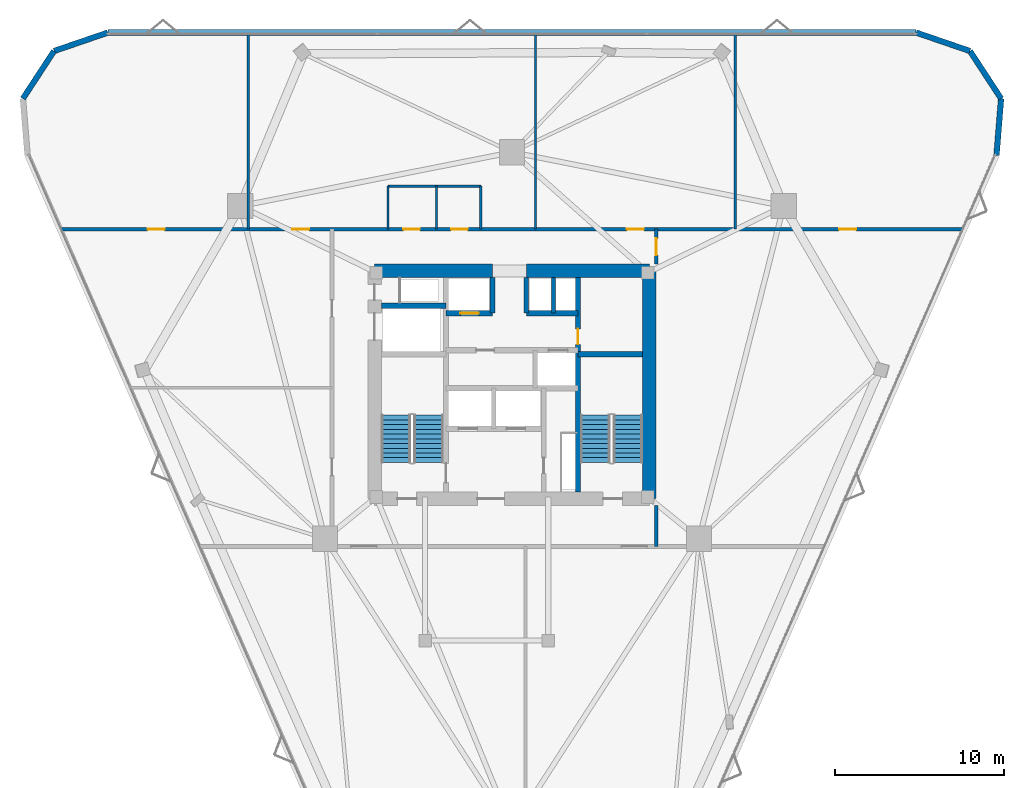
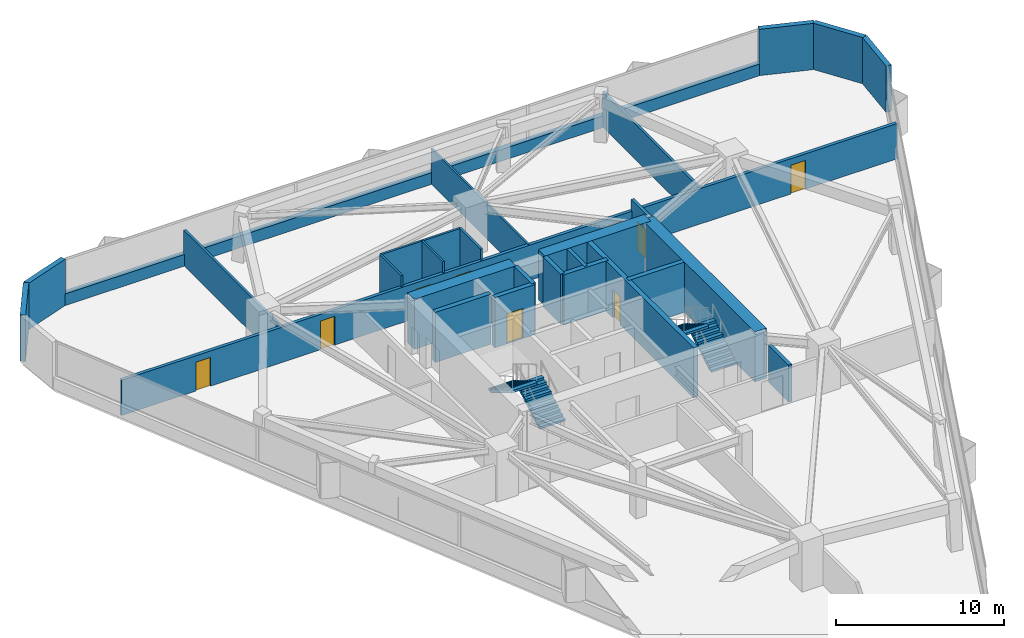
# One storey, part 13 of 14: 27 walls, 9 doors, 4 stair flights, 9 openings, 2 elements without a shape of their own.
"""IFC4 building model written with IfcOpenShell, lengths in metres."""

from ifc_helpers import new_model, si_unit, direction, frame, frame_2d, origin, place, context, subcontext, project, spatial, polyline, rectangle, outline, extrude, material, layer, layer_set, type_object, element, fill, aggregate, save


model = new_model("IFC4")

# Units and contexts
model_context = context("Model", 3, precision=1e-05, world=origin(), true_north=direction((0.0, 1.0)))
body_context = subcontext(model_context, "Body", "Model", "MODEL_VIEW")
ifc_project = project(units=[si_unit("LENGTHUNIT", "METRE"), si_unit("AREAUNIT", "SQUARE_METRE"), si_unit("VOLUMEUNIT", "CUBIC_METRE"), si_unit("PLANEANGLEUNIT", "RADIAN"), si_unit("MASSUNIT", "GRAM", prefix="KILO")], contexts=[model_context])

# Site, building, storey
site_placement = place(None, origin())
site = spatial("IfcSite", under=ifc_project, at=site_placement, CompositionType="ELEMENT")
building_placement = place(site_placement, origin())
building = spatial("IfcBuilding", under=site, at=building_placement, Name="Talyreon Biosciences Tower", CompositionType="ELEMENT")
storey_placement = place(building_placement, frame((0.0, 0.0, 138.14990234375)))
storey = spatial("IfcBuildingStorey", under=building, at=storey_placement, Name="L36", CompositionType="ELEMENT", Elevation=138.14990234375)

# Walls
ifc_material_1 = material(Name="Concrete C50/60", Category="concrete")
ifc_layer_1 = layer(ifc_material_1, 0.219970703125)
ifc_layer_set_1 = layer_set([ifc_layer_1], Name="Concrete C50/60")
wall_type_1 = type_object("IfcWallType", Name="CoreShearWall_220", PredefinedType="SHEAR", material=ifc_layer_set_1)
wall_1_placement = place(storey_placement, frame((68.4599609375, 72.25, 0.0), z_axis=(0.0, 0.0, 1.0), x_axis=(0.0, 1.0, 0.0)))
element("IfcWall", 1, at=wall_1_placement, inside=storey, type_object=wall_type_1, Name="L36 Core Shaft Wall SWPHD", PredefinedType="SHEAR", context=body_context, shape_type="SweptSolid", body=[
    extrude(rectangle(XDim=2.10009765625, YDim=0.219970703125, at=frame_2d((1.050048828125, 0.0))), origin(), (0.0, 0.0, 1.0), 3.650146484375),
])
ifc_layer_2 = layer(ifc_material_1, 0.280029296875)
ifc_layer_set_2 = layer_set([ifc_layer_2], Name="Concrete C50/60")
wall_type_2 = type_object("IfcWallType", Name="CoreShearWall_280", PredefinedType="SHEAR", material=ifc_layer_set_2)
for number, where, z_axis, x_axis, name in (
    (2, (64.85009765625, 72.25, 0.0), (0.0, 0.0, 1.0), (0.0, 1.0, 0.0), "L36 Core Shaft Wall SWTHW"),
    (3, (66.85009765625, 72.25, 0.0), (0.0, 0.0, 1.0), (0.0, 1.0, 0.0), "L36 Core Shaft Wall SWTHE"),
):
    element("IfcWall", number, at=place(storey_placement, frame(where, z_axis=z_axis, x_axis=x_axis)), inside=storey, type_object=wall_type_2, Name=name, PredefinedType="SHEAR", context=body_context, shape_type="SweptSolid", body=[
        extrude(rectangle(XDim=2.10009765625, YDim=0.280029296875, at=frame_2d((1.050048828125, 0.0))), origin(), (0.0, 0.0, 1.0), 3.650146484375),
    ])

# Wall, opening, door
ifc_layer_3 = layer(ifc_material_1, 0.320068359375)
ifc_layer_set_3 = layer_set([ifc_layer_3], Name="Concrete C50/60")
wall_type_3 = type_object("IfcWallType", Name="CoreShearWall_320", PredefinedType="SHEAR", material=ifc_layer_set_3)
wall_2_placement = place(storey_placement, frame((69.909912109375, 61.64990234375, 0.0), z_axis=(0.0, 0.0, 1.0), x_axis=(0.0, 1.0, 0.0)))
wall_2 = element("IfcWall", 4, at=wall_2_placement, inside=storey, type_object=wall_type_3, Name="L36 Core Shaft Wall SW2W", PredefinedType="SHEAR", context=body_context, shape_type="SweptSolid", body=[
    extrude(rectangle(XDim=12.7001953125, YDim=0.320068359375, at=frame_2d((6.35009765625, 0.0))), origin(), (0.0, 0.0, 1.0), 3.650146484375),
])
opening_1_placement = place(wall_2_placement, frame((8.75, 0.0, 0.0)))
opening_1 = element("IfcOpeningElement", 5, at=opening_1_placement, cuts=wall_2, Name="Opening DR-L36-CSRV", PredefinedType="OPENING", context=body_context, shape_type="SweptSolid", body=[
    extrude(rectangle(XDim=0.919921875, YDim=2.050048828125, at=frame_2d((0.4599609375, 1.02490234375))), frame((0.0, 0.169921875, 0.0), z_axis=(0.0, -1.0, 0.0), x_axis=(1.0, 0.0, 0.0)), (0.0, 0.0, 1.0), 0.340087890625),
])
ifc_material_2 = material(Name="Painted steel fire-rated riser door", Category="steel")
door_type_1 = type_object("IfcDoorType", Name="RiserPlantAccessDoor_920x2050", OperationType="NOTDEFINED", PredefinedType="DOOR", material=ifc_material_2)
door_1_placement = place(opening_1_placement, origin())
door_1 = element("IfcDoor", 6, at=door_1_placement, inside=storey, type_object=door_type_1, Name="L36 Core Door DR-L36-CSRV", OperationType="SINGLE_SWING_RIGHT", OverallHeight=2.050048828125, OverallWidth=0.919921875, PredefinedType="DOOR", context=body_context, shape_type="SweptSolid", body=[
    extrude(rectangle(XDim=0.919921875, YDim=2.050048828125, at=frame_2d((0.4599609375, 1.02490234375))), frame((0.0, 0.02490234375, 0.0), z_axis=(0.0, -1.0, 0.0), x_axis=(1.0, 0.0, 0.0)), (0.0, 0.0, 1.0), 0.050048828125),
])
fill(opening_1, door_1)

# Walls
for number, where, z_axis, x_axis, name in (
    (7, (69.909912109375, 69.81005859375, 0.0), (0.0, 0.0, 1.0), (1.0, 0.0, 0.0), "L36 Core Shaft Wall SW2N"),
    (8, (58.25, 72.699951171875, 0.0), (0.0, 0.0, 1.0), (1.0, 0.0, 0.0), "L36 Core Shaft Wall SWGLN"),
):
    element("IfcWall", number, at=place(storey_placement, frame(where, z_axis=z_axis, x_axis=x_axis)), inside=storey, type_object=wall_type_3, Name=name, PredefinedType="SHEAR", context=body_context, shape_type="SweptSolid", body=[
        extrude(rectangle(XDim=3.840087890625, YDim=0.320068359375, at=frame_2d((1.919921875, 0.0))), origin(), (0.0, 0.0, 1.0), 3.650146484375),
    ])

# Wall, opening, door
wall_3_placement = place(storey_placement, frame((62.090087890625, 72.25, 0.0), z_axis=(0.0, 0.0, 1.0), x_axis=(1.0, 0.0, 0.0)))
wall_3 = element("IfcWall", 9, at=wall_3_placement, inside=storey, type_object=wall_type_3, Name="L36 Core Shaft Wall SWNPW", PredefinedType="SHEAR", context=body_context, shape_type="SweptSolid", body=[
    extrude(rectangle(XDim=2.760009765625, YDim=0.320068359375, at=frame_2d((1.3798828125, 0.0))), origin(), (0.0, 0.0, 1.0), 3.650146484375),
])
opening_2_placement = place(wall_3_placement, frame((0.85009765625, 0.0, 0.0)))
opening_2 = element("IfcOpeningElement", 10, at=opening_2_placement, cuts=wall_3, Name="Opening LD-L36-PM2", PredefinedType="OPENING", context=body_context, shape_type="SweptSolid", body=[
    extrude(rectangle(XDim=1.10009765625, YDim=2.199951171875, at=frame_2d((0.550048828125, 1.10009765625))), frame((0.0, 0.169921875, 0.0), z_axis=(0.0, -1.0, 0.0), x_axis=(1.0, 0.0, 0.0)), (0.0, 0.0, 1.0), 0.340087890625),
])
ifc_material_3 = material(Name="Brushed stainless-steel lift landing door", Category="steel")
door_type_2 = type_object("IfcDoorType", Name="LiftSlidingLandingDoor_1100x2200", OperationType="SLIDING_TO_LEFT", PredefinedType="DOOR", material=ifc_material_3)
door_2_placement = place(opening_2_placement, origin())
door_2 = element("IfcDoor", 11, at=door_2_placement, inside=storey, type_object=door_type_2, Name="L36 Core Door LD-L36-PM2", OperationType="SLIDING_TO_LEFT", OverallHeight=2.199951171875, OverallWidth=1.10009765625, PredefinedType="DOOR", context=body_context, shape_type="SweptSolid", body=[
    extrude(rectangle(XDim=1.10009765625, YDim=2.199951171875, at=frame_2d((0.550048828125, 1.10009765625))), frame((0.0, 0.02490234375, 0.0), z_axis=(0.0, -1.0, 0.0), x_axis=(1.0, 0.0, 0.0)), (0.0, 0.0, 1.0), 0.050048828125),
])
fill(opening_2, door_2)

# Walls
wall_4_placement = place(storey_placement, frame((66.85009765625, 72.25, 0.0), z_axis=(0.0, 0.0, 1.0), x_axis=(1.0, 0.0, 0.0)))
element("IfcWall", 12, at=wall_4_placement, inside=storey, type_object=wall_type_3, Name="L36 Core Shaft Wall SWNPE", PredefinedType="SHEAR", context=body_context, shape_type="SweptSolid", body=[
    extrude(rectangle(XDim=3.059814453125, YDim=0.320068359375, at=frame_2d((1.52978515625, 0.0))), origin(), (0.0, 0.0, 1.0), 3.650146484375),
])
ifc_material_4 = material(Name="Concrete C60/75", Category="concrete")
ifc_layer_4 = layer(ifc_material_4, 0.800048828125)
ifc_layer_set_4 = layer_set([ifc_layer_4], Name="Concrete C60/75")
wall_type_4 = type_object("IfcWallType", Name="CoreShearWall_800", PredefinedType="SHEAR", material=ifc_layer_set_4)
wall_5_placement = place(storey_placement, frame((74.14990234375, 61.25, 0.0), z_axis=(0.0, 0.0, 1.0), x_axis=(0.0, 1.0, 0.0)))
element("IfcWall", 13, at=wall_5_placement, inside=storey, type_object=wall_type_4, Name="L36 Core Shear Wall E", PredefinedType="SHEAR", context=body_context, shape_type="SweptSolid", body=[
    extrude(rectangle(XDim=13.5, YDim=0.800048828125, at=frame_2d((6.75, 0.0))), origin(), (0.0, 0.0, 1.0), 3.650146484375),
])
wall_6_placement = place(storey_placement, frame((74.14990234375, 74.75, 0.0), z_axis=(0.0, 0.0, 1.0), x_axis=(-1.0, 0.0, 0.0)))
element("IfcWall", 14, at=wall_6_placement, inside=storey, type_object=wall_type_4, Name="L36 Core Shear Wall NE", PredefinedType="SHEAR", context=body_context, shape_type="SweptSolid", body=[
    extrude(rectangle(XDim=7.2998046875, YDim=0.800048828125, at=frame_2d((3.64990234375, 0.0))), origin(), (0.0, 0.0, 1.0), 3.650146484375),
])
wall_7_placement = place(storey_placement, frame((64.85009765625, 74.75, 0.0), z_axis=(0.0, 0.0, 1.0), x_axis=(-1.0, 0.0, 0.0)))
element("IfcWall", 15, at=wall_7_placement, inside=storey, type_object=wall_type_4, Name="L36 Core Shear Wall NW", PredefinedType="SHEAR", context=body_context, shape_type="SweptSolid", body=[
    extrude(rectangle(XDim=7.0, YDim=0.800048828125, at=frame_2d((3.5, 0.0))), origin(), (0.0, 0.0, 1.0), 3.650146484375),
])

# Wall, openings, doors
ifc_material_5 = material(Name="Gypsum fireboard acoustic stud", Category="gypsum")
ifc_layer_5 = layer(ifc_material_5, 0.219970703125)
ifc_layer_set_5 = layer_set([ifc_layer_5], Name="Gypsum fireboard acoustic stud")
wall_type_5 = type_object("IfcWallType", Name="CorridorRatedPartition_220", PredefinedType="PARTITIONING", material=ifc_layer_set_5)
wall_8_placement = place(storey_placement, frame((39.278564453125, 77.22998046875, 0.0), z_axis=(0.0, 0.0, 1.0), x_axis=(1.0, 0.0, 0.0)))
wall_8 = element("IfcWall", 16, at=wall_8_placement, inside=storey, type_object=wall_type_5, Name="L36 Interior Wall IW-L36-COR-N", PredefinedType="PARTITIONING", context=body_context, shape_type="SweptSolid", body=[
    extrude(rectangle(XDim=53.44287109375, YDim=0.219970703125, at=frame_2d((26.721435546875, 0.0))), origin(), (0.0, 0.0, 1.0), 2.5751953125),
])
opening_3_placement = place(wall_8_placement, frame((20.281982421875, 0.0, 0.0)))
opening_3 = element("IfcOpeningElement", 17, at=opening_3_placement, cuts=wall_8, Name="Opening DR-L36-WC", PredefinedType="OPENING", context=body_context, shape_type="SweptSolid", body=[
    extrude(rectangle(XDim=0.97998046875, YDim=2.10009765625, at=frame_2d((0.489990234375, 1.050048828125))), frame((0.0, 0.119873046875, 0.0), z_axis=(0.0, -1.0, 0.0), x_axis=(1.0, 0.0, 0.0)), (0.0, 0.0, 1.0), 0.239990234375),
])
opening_4_placement = place(wall_8_placement, frame((23.10693359375, 0.0, 0.0)))
opening_4 = element("IfcOpeningElement", 18, at=opening_4_placement, cuts=wall_8, Name="Opening DR-L36-AWC", PredefinedType="OPENING", context=body_context, shape_type="SweptSolid", body=[
    extrude(rectangle(XDim=0.97998046875, YDim=2.10009765625, at=frame_2d((0.489990234375, 1.050048828125))), frame((0.0, 0.119873046875, 0.0), z_axis=(0.0, -1.0, 0.0), x_axis=(1.0, 0.0, 0.0)), (0.0, 0.0, 1.0), 0.239990234375),
])
opening_5_placement = place(wall_8_placement, frame((5.1220703125, 0.0, 0.0)))
opening_5 = element("IfcOpeningElement", 19, at=opening_5_placement, cuts=wall_8, Name="Opening DR-L36-N1A", PredefinedType="OPENING", context=body_context, shape_type="SweptSolid", body=[
    extrude(rectangle(XDim=1.0, YDim=2.10009765625, at=frame_2d((0.5, 1.050048828125))), frame((0.0, 0.119873046875, 0.0), z_axis=(0.0, -1.0, 0.0), x_axis=(1.0, 0.0, 0.0)), (0.0, 0.0, 1.0), 0.239990234375),
])
opening_6_placement = place(wall_8_placement, frame((13.694091796875, 0.0, 0.0)))
opening_6 = element("IfcOpeningElement", 20, at=opening_6_placement, cuts=wall_8, Name="Opening DR-L36-N2A", PredefinedType="OPENING", context=body_context, shape_type="SweptSolid", body=[
    extrude(rectangle(XDim=1.0, YDim=2.10009765625, at=frame_2d((0.5, 1.050048828125))), frame((0.0, 0.119873046875, 0.0), z_axis=(0.0, -1.0, 0.0), x_axis=(1.0, 0.0, 0.0)), (0.0, 0.0, 1.0), 0.239990234375),
])
opening_7_placement = place(wall_8_placement, frame((33.534912109375, 0.0, 0.0)))
opening_7 = element("IfcOpeningElement", 21, at=opening_7_placement, cuts=wall_8, Name="Opening DR-L36-N3A", PredefinedType="OPENING", context=body_context, shape_type="SweptSolid", body=[
    extrude(rectangle(XDim=1.0, YDim=2.10009765625, at=frame_2d((0.5, 1.050048828125))), frame((0.0, 0.119873046875, 0.0), z_axis=(0.0, -1.0, 0.0), x_axis=(1.0, 0.0, 0.0)), (0.0, 0.0, 1.0), 0.239990234375),
])
opening_8_placement = place(wall_8_placement, frame((46.12109375, 0.0, 0.0)))
opening_8 = element("IfcOpeningElement", 22, at=opening_8_placement, cuts=wall_8, Name="Opening DR-L36-N4A", PredefinedType="OPENING", context=body_context, shape_type="SweptSolid", body=[
    extrude(rectangle(XDim=1.0, YDim=2.10009765625, at=frame_2d((0.5, 1.050048828125))), frame((0.0, 0.119873046875, 0.0), z_axis=(0.0, -1.0, 0.0), x_axis=(1.0, 0.0, 0.0)), (0.0, 0.0, 1.0), 0.239990234375),
])
ifc_material_6 = material(Name="Laminate moisture-resistant door", Category="wood")
door_type_3 = type_object("IfcDoorType", Name="AccessibleToiletDoor_980x2100", OperationType="NOTDEFINED", PredefinedType="DOOR", material=ifc_material_6)
door_3_placement = place(opening_3_placement, origin())
door_3 = element("IfcDoor", 23, at=door_3_placement, inside=storey, type_object=door_type_3, Name="L36 Interior Door DR-L36-WC", OperationType="SINGLE_SWING_LEFT", OverallHeight=2.10009765625, OverallWidth=0.97998046875, PredefinedType="DOOR", context=body_context, shape_type="SweptSolid", body=[
    extrude(rectangle(XDim=0.97998046875, YDim=2.10009765625, at=frame_2d((0.489990234375, 1.050048828125))), frame((0.0, 0.02490234375, 0.0), z_axis=(0.0, -1.0, 0.0), x_axis=(1.0, 0.0, 0.0)), (0.0, 0.0, 1.0), 0.050048828125),
])
fill(opening_3, door_3)
door_4_placement = place(opening_4_placement, origin())
door_4 = element("IfcDoor", 24, at=door_4_placement, inside=storey, type_object=door_type_3, Name="L36 Interior Door DR-L36-AWC", OperationType="SINGLE_SWING_RIGHT", OverallHeight=2.10009765625, OverallWidth=0.97998046875, PredefinedType="DOOR", context=body_context, shape_type="SweptSolid", body=[
    extrude(rectangle(XDim=0.97998046875, YDim=2.10009765625, at=frame_2d((0.489990234375, 1.050048828125))), frame((0.0, 0.02490234375, 0.0), z_axis=(0.0, -1.0, 0.0), x_axis=(1.0, 0.0, 0.0)), (0.0, 0.0, 1.0), 0.050048828125),
])
fill(opening_4, door_4)
ifc_material_7 = material(Name="Acoustic oak veneer office door", Category="wood")
door_type_4 = type_object("IfcDoorType", Name="WriteupOfficeDoor_1000x2100", OperationType="NOTDEFINED", PredefinedType="DOOR", material=ifc_material_7)
door_5_placement = place(opening_5_placement, origin())
door_5 = element("IfcDoor", 25, at=door_5_placement, inside=storey, type_object=door_type_4, Name="L36 Interior Door DR-L36-N1A", OperationType="SINGLE_SWING_RIGHT", OverallHeight=2.10009765625, OverallWidth=1.0, PredefinedType="DOOR", context=body_context, shape_type="SweptSolid", body=[
    extrude(rectangle(XDim=1.0, YDim=2.10009765625, at=frame_2d((0.5, 1.050048828125))), frame((0.0, 0.02490234375, 0.0), z_axis=(0.0, -1.0, 0.0), x_axis=(1.0, 0.0, 0.0)), (0.0, 0.0, 1.0), 0.050048828125),
])
fill(opening_5, door_5)
door_6_placement = place(opening_6_placement, origin())
door_6 = element("IfcDoor", 26, at=door_6_placement, inside=storey, type_object=door_type_4, Name="L36 Interior Door DR-L36-N2A", OperationType="SINGLE_SWING_RIGHT", OverallHeight=2.10009765625, OverallWidth=1.0, PredefinedType="DOOR", context=body_context, shape_type="SweptSolid", body=[
    extrude(rectangle(XDim=1.0, YDim=2.10009765625, at=frame_2d((0.5, 1.050048828125))), frame((0.0, 0.02490234375, 0.0), z_axis=(0.0, -1.0, 0.0), x_axis=(1.0, 0.0, 0.0)), (0.0, 0.0, 1.0), 0.050048828125),
])
fill(opening_6, door_6)
door_7_placement = place(opening_7_placement, origin())
door_7 = element("IfcDoor", 27, at=door_7_placement, inside=storey, type_object=door_type_4, Name="L36 Interior Door DR-L36-N3A", OperationType="SINGLE_SWING_LEFT", OverallHeight=2.10009765625, OverallWidth=1.0, PredefinedType="DOOR", context=body_context, shape_type="SweptSolid", body=[
    extrude(rectangle(XDim=1.0, YDim=2.10009765625, at=frame_2d((0.5, 1.050048828125))), frame((0.0, 0.02490234375, 0.0), z_axis=(0.0, -1.0, 0.0), x_axis=(1.0, 0.0, 0.0)), (0.0, 0.0, 1.0), 0.050048828125),
])
fill(opening_7, door_7)
door_8_placement = place(opening_8_placement, origin())
door_8 = element("IfcDoor", 28, at=door_8_placement, inside=storey, type_object=door_type_4, Name="L36 Interior Door DR-L36-N4A", OperationType="SINGLE_SWING_LEFT", OverallHeight=2.10009765625, OverallWidth=1.0, PredefinedType="DOOR", context=body_context, shape_type="SweptSolid", body=[
    extrude(rectangle(XDim=1.0, YDim=2.10009765625, at=frame_2d((0.5, 1.050048828125))), frame((0.0, 0.02490234375, 0.0), z_axis=(0.0, -1.0, 0.0), x_axis=(1.0, 0.0, 0.0)), (0.0, 0.0, 1.0), 0.050048828125),
])
fill(opening_8, door_8)

# Wall, opening, door
wall_9_placement = place(storey_placement, frame((74.550048828125, 75.14990234375, 0.0), z_axis=(0.0, 0.0, 1.0), x_axis=(0.0, 1.0, 0.0)))
wall_9 = element("IfcWall", 29, at=wall_9_placement, inside=storey, type_object=wall_type_5, Name="L36 Interior Wall IW-L36-ECAP-N", PredefinedType="PARTITIONING", context=body_context, shape_type="SweptSolid", body=[
    extrude(rectangle(XDim=2.080078125, YDim=0.219970703125, at=frame_2d((1.0400390625, 0.0))), origin(), (0.0, 0.0, 1.0), 3.375),
])
opening_9_placement = place(wall_9_placement, frame((0.5400390625, 0.0, 0.0)))
opening_9 = element("IfcOpeningElement", 30, at=opening_9_placement, cuts=wall_9, Name="Opening DR-L36-E1A", PredefinedType="OPENING", context=body_context, shape_type="SweptSolid", body=[
    extrude(rectangle(XDim=1.0, YDim=2.10009765625, at=frame_2d((0.5, 1.050048828125))), frame((0.0, 0.119873046875, 0.0), z_axis=(0.0, -1.0, 0.0), x_axis=(1.0, 0.0, 0.0)), (0.0, 0.0, 1.0), 0.239990234375),
])
door_9_placement = place(opening_9_placement, origin())
door_9 = element("IfcDoor", 31, at=door_9_placement, inside=storey, type_object=door_type_4, Name="L36 Interior Door DR-L36-E1A", OperationType="SINGLE_SWING_LEFT", OverallHeight=2.10009765625, OverallWidth=1.0, PredefinedType="DOOR", context=body_context, shape_type="SweptSolid", body=[
    extrude(rectangle(XDim=1.0, YDim=2.10009765625, at=frame_2d((0.5, 1.050048828125))), frame((0.0, 0.02490234375, 0.0), z_axis=(0.0, -1.0, 0.0), x_axis=(1.0, 0.0, 0.0)), (0.0, 0.0, 1.0), 0.050048828125),
])
fill(opening_9, door_9)

# Walls
wall_10_placement = place(storey_placement, frame((74.550048828125, 58.419921875, 0.0), z_axis=(0.0, 0.0, 1.0), x_axis=(0.0, 1.0, 0.0)))
element("IfcWall", 32, at=wall_10_placement, inside=storey, type_object=wall_type_5, Name="L36 Interior Wall IW-L36-ECAP-S", PredefinedType="PARTITIONING", context=body_context, shape_type="SweptSolid", body=[
    extrude(rectangle(XDim=2.43017578125, YDim=0.219970703125, at=frame_2d((1.215087890625, 0.0))), origin(), (0.0, 0.0, 1.0), 2.705078125),
])
ifc_material_8 = material(Name="Gypsum acoustic stud partition", Category="gypsum")
ifc_layer_6 = layer(ifc_material_8, 0.159912109375)
ifc_layer_set_6 = layer_set([ifc_layer_6], Name="Gypsum acoustic stud partition")
wall_type_6 = type_object("IfcWallType", Name="LabSeparationPartition_160", PredefinedType="PARTITIONING", material=ifc_layer_set_6)
for number, where, z_axis, x_axis, name in (
    (33, (50.373046875, 77.22998046875, 0.0), (0.0, 0.0, 1.0), (0.0, 1.0, 0.0), "L36 Interior Wall IW-L36-NDIV1"),
    (34, (79.22705078125, 77.22998046875, 0.0), (0.0, 0.0, 1.0), (0.0, 1.0, 0.0), "L36 Interior Wall IW-L36-NDIV3"),
):
    element("IfcWall", number, at=place(storey_placement, frame(where, z_axis=z_axis, x_axis=x_axis)), inside=storey, type_object=wall_type_6, Name=name, PredefinedType="PARTITIONING", context=body_context, shape_type="SweptSolid", body=[
        extrude(rectangle(XDim=11.5712890625, YDim=0.159912109375, at=frame_2d((5.78564453125, 0.0))), origin(), (0.0, 0.0, 1.0), 2.5751953125),
    ])
ifc_layer_7 = layer(ifc_material_8, 0.1298828125)
ifc_layer_set_7 = layer_set([ifc_layer_7], Name="Gypsum acoustic stud partition")
wall_type_7 = type_object("IfcWallType", Name="OfficeWriteupPartition_130", PredefinedType="PARTITIONING", material=ifc_layer_set_7)
wall_11_placement = place(storey_placement, frame((67.39990234375, 77.22998046875, 0.0), z_axis=(0.0, 0.0, 1.0), x_axis=(0.0, 1.0, 0.0)))
element("IfcWall", 35, at=wall_11_placement, inside=storey, type_object=wall_type_7, Name="L36 Interior Wall IW-L36-NDIV2", PredefinedType="PARTITIONING", context=body_context, shape_type="SweptSolid", body=[
    extrude(rectangle(XDim=11.5712890625, YDim=0.1298828125, at=frame_2d((5.78564453125, 0.0))), origin(), (0.0, 0.0, 1.0), 2.5751953125),
])
ifc_material_9 = material(Name="Precast concrete C45/55", Category="concrete")
ifc_layer_8 = layer(ifc_material_9, 0.340087890625)
ifc_layer_set_8 = layer_set([ifc_layer_8], Name="Precast concrete C45/55")
wall_type_8 = type_object("IfcWallType", Name="PrecastConcreteSpandrelWall_340", PredefinedType="STANDARD", material=ifc_layer_set_8)
for number, where, z_axis, x_axis, name in (
    (36, (37.003173828125, 84.969482421875, 0.0), (0.0, 0.0, 1.0), (0.547783529201, 0.836620108015, 0.0), "L36 Rounded-Corner Concrete Pier 02"),
    (37, (38.85107421875, 87.791748046875, 0.0), (0.0, 0.0, 1.0), (0.945912321016, 0.324422380469, 0.0), "L36 Rounded-Corner Concrete Pier 03"),
):
    element("IfcWall", number, at=place(storey_placement, frame(where, z_axis=z_axis, x_axis=x_axis)), inside=storey, type_object=wall_type_8, Name=name, PredefinedType="STANDARD", context=body_context, shape_type="SweptSolid", body=[
        extrude(rectangle(XDim=3.37353515625, YDim=0.340087890625, at=frame_2d((1.686767578125, 0.0))), origin(), (0.0, 0.0, 1.0), 3.375),
    ])
wall_12_placement = place(storey_placement, frame((42.042236328125, 88.88623046875, 0.0), z_axis=(0.0, 0.0, 1.0), x_axis=(1.0, 0.0, 0.0)))
element("IfcWall", 38, at=wall_12_placement, inside=storey, type_object=wall_type_8, Name="L36 Expressed Concrete Sill Wall 04", PredefinedType="STANDARD", context=body_context, shape_type="SweptSolid", body=[
    extrude(rectangle(XDim=47.91552734375, YDim=0.340087890625, at=frame_2d((23.957763671875, 0.0))), origin(), (0.0, 0.0, 1.0), 0.85009765625),
])
for number, where, z_axis, x_axis, name in (
    (39, (89.957763671875, 88.88623046875, 0.0), (0.0, 0.0, 1.0), (0.945912321016, -0.324422380469, 0.0), "L36 Rounded-Corner Concrete Pier 05"),
    (40, (93.14892578125, 87.791748046875, 0.0), (0.0, 0.0, 1.0), (0.547783529201, -0.836620108015, 0.0), "L36 Rounded-Corner Concrete Pier 06"),
):
    element("IfcWall", number, at=place(storey_placement, frame(where, z_axis=z_axis, x_axis=x_axis)), inside=storey, type_object=wall_type_8, Name=name, PredefinedType="STANDARD", context=body_context, shape_type="SweptSolid", body=[
        extrude(rectangle(XDim=3.37353515625, YDim=0.340087890625, at=frame_2d((1.686767578125, 0.0))), origin(), (0.0, 0.0, 1.0), 3.375),
    ])
wall_13_placement = place(storey_placement, frame((94.996826171875, 84.969482421875, 0.0), z_axis=(0.0, 0.0, 1.0), x_axis=(-0.080901359233, -0.996722112765, 0.0)))
element("IfcWall", 41, at=wall_13_placement, inside=storey, type_object=wall_type_8, Name="L36 Rounded-Corner Concrete Pier 07", PredefinedType="STANDARD", context=body_context, shape_type="SweptSolid", body=[
    extrude(rectangle(XDim=3.373779296875, YDim=0.340087890625, at=frame_2d((1.68701171875, 0.0))), origin(), (0.0, 0.0, 1.0), 3.375),
])
ifc_material_10 = material(Name="Moisture-resistant cement-board stud", Category="gypsum")
ifc_layer_9 = layer(ifc_material_10, 0.14501953125)
ifc_layer_set_9 = layer_set([ifc_layer_9], Name="Moisture-resistant cement-board stud")
wall_type_9 = type_object("IfcWallType", Name="WetRoomPartition_145", PredefinedType="PARTITIONING", material=ifc_layer_set_9)
for number, where, z_axis, x_axis, name in (
    (42, (58.64990234375, 77.22998046875, 0.0), (0.0, 0.0, 1.0), (0.0, 1.0, 0.0), "L36 Interior Wall IW-L36-WCL"),
    (43, (61.52490234375, 77.22998046875, 0.0), (0.0, 0.0, 1.0), (0.0, 1.0, 0.0), "L36 Interior Wall IW-L36-WCM"),
    (44, (64.14990234375, 77.22998046875, 0.0), (0.0, 0.0, 1.0), (0.0, 1.0, 0.0), "L36 Interior Wall IW-L36-WCR"),
):
    element("IfcWall", number, at=place(storey_placement, frame(where, z_axis=z_axis, x_axis=x_axis)), inside=storey, type_object=wall_type_9, Name=name, PredefinedType="PARTITIONING", context=body_context, shape_type="SweptSolid", body=[
        extrude(rectangle(XDim=2.550048828125, YDim=0.14501953125, at=frame_2d((1.27490234375, 0.0))), origin(), (0.0, 0.0, 1.0), 3.375),
    ])
wall_14_placement = place(storey_placement, frame((58.64990234375, 79.780029296875, 0.0), z_axis=(0.0, 0.0, 1.0), x_axis=(1.0, 0.0, 0.0)))
element("IfcWall", 45, at=wall_14_placement, inside=storey, type_object=wall_type_9, Name="L36 Interior Wall IW-L36-WCT", PredefinedType="PARTITIONING", context=body_context, shape_type="SweptSolid", body=[
    extrude(rectangle(XDim=5.5, YDim=0.14501953125, at=frame_2d((2.75, 0.0))), origin(), (0.0, 0.0, 1.0), 3.375),
])

# Stair, stair flights
ifc_material_11 = material(Name="Concrete C40/50", Category="concrete")
stair_type = type_object("IfcStairType", Name="DoglegEscapeStair_3650", PredefinedType="HALF_TURN_STAIR", material=ifc_material_11)
stair_1_placement = place(storey_placement, origin())
stair_1 = element("IfcStair", 46, at=stair_1_placement, inside=storey, type_object=stair_type, Name="L36 Core Escape Stair 1", PredefinedType="HALF_TURN_STAIR")
stair_flight_type = type_object("IfcStairFlightType", Name="PrecastStairFlight_3650", PredefinedType="STRAIGHT", material=ifc_material_11)
stair_flight_1_placement = place(storey_placement, frame((61.06005859375, 63.39990234375, 0.0), z_axis=(0.0, 0.0, 1.0), x_axis=(0.0, 1.0, 0.0)))
stair_flight_1 = element("IfcStairFlight", 47, at=stair_flight_1_placement, type_object=stair_flight_type, Name="ST-1 flight 1", NumberOfRisers=11, NumberOfTreads=10, PredefinedType="STRAIGHT", RiserHeight=0.165909091, TreadLength=0.28, context=body_context, shape_type="SweptSolid", body=[
    extrude(outline(polyline([(0.0, 0.0), (0.0, 0.166015625), (0.280029296875, 0.166015625), (0.280029296875, 0.331787109375), (0.56005859375, 0.331787109375), (0.56005859375, 0.497802734375), (0.840087890625, 0.497802734375), (0.840087890625, 0.66357421875), (1.1201171875, 0.66357421875), (1.1201171875, 0.82958984375), (1.39990234375, 0.82958984375), (1.39990234375, 0.995361328125), (1.679931640625, 0.995361328125), (1.679931640625, 1.161376953125), (1.9599609375, 1.161376953125), (1.9599609375, 1.327392578125), (2.239990234375, 1.327392578125), (2.239990234375, 1.4931640625), (2.52001953125, 1.4931640625), (2.52001953125, 1.6591796875), (2.800048828125, 1.6591796875), (2.800048828125, 1.824951171875), (2.800048828125, 1.48486328125), (0.2939453125, 0.0), (0.0, 0.0)])), frame((0.0, 0.8701171875, 0.0), z_axis=(0.0, -1.0, 0.0), x_axis=(1.0, 0.0, 0.0)), (0.0, 0.0, 1.0), 1.739990234375),
])
stair_flight_2_placement = place(storey_placement, frame((59.1201171875, 66.199951171875, 1.8251953125), z_axis=(0.0, 0.0, 1.0), x_axis=(0.0, -1.0, 0.0)))
stair_flight_2 = element("IfcStairFlight", 48, at=stair_flight_2_placement, type_object=stair_flight_type, Name="ST-1 flight 2", NumberOfRisers=11, NumberOfTreads=10, PredefinedType="STRAIGHT", RiserHeight=0.165909091, TreadLength=0.28, context=body_context, shape_type="SweptSolid", body=[
    extrude(outline(polyline([(0.0, 0.0), (0.0, 0.166015625), (0.280029296875, 0.166015625), (0.280029296875, 0.331787109375), (0.56005859375, 0.331787109375), (0.56005859375, 0.497802734375), (0.840087890625, 0.497802734375), (0.840087890625, 0.66357421875), (1.1201171875, 0.66357421875), (1.1201171875, 0.82958984375), (1.39990234375, 0.82958984375), (1.39990234375, 0.995361328125), (1.679931640625, 0.995361328125), (1.679931640625, 1.161376953125), (1.9599609375, 1.161376953125), (1.9599609375, 1.327392578125), (2.239990234375, 1.327392578125), (2.239990234375, 1.4931640625), (2.52001953125, 1.4931640625), (2.52001953125, 1.6591796875), (2.800048828125, 1.6591796875), (2.800048828125, 1.824951171875), (2.800048828125, 1.48486328125), (0.2939453125, 0.0), (0.0, 0.0)])), frame((0.0, 0.8701171875, 0.0), z_axis=(0.0, -1.0, 0.0), x_axis=(1.0, 0.0, 0.0)), (0.0, 0.0, 1.0), 1.739990234375),
])
aggregate(stair_1, [stair_flight_1, stair_flight_2])

stair_2_placement = place(storey_placement, origin())
stair_2 = element("IfcStair", 49, at=stair_2_placement, inside=storey, type_object=stair_type, Name="L36 Core Escape Stair 2", PredefinedType="HALF_TURN_STAIR")
stair_flight_3_placement = place(storey_placement, frame((72.8798828125, 63.39990234375, 0.0), z_axis=(0.0, 0.0, 1.0), x_axis=(0.0, 1.0, 0.0)))
stair_flight_3 = element("IfcStairFlight", 50, at=stair_flight_3_placement, type_object=stair_flight_type, Name="ST-2 flight 1", NumberOfRisers=11, NumberOfTreads=10, PredefinedType="STRAIGHT", RiserHeight=0.165909091, TreadLength=0.28, context=body_context, shape_type="SweptSolid", body=[
    extrude(outline(polyline([(0.0, 0.0), (0.0, 0.166015625), (0.280029296875, 0.166015625), (0.280029296875, 0.331787109375), (0.56005859375, 0.331787109375), (0.56005859375, 0.497802734375), (0.840087890625, 0.497802734375), (0.840087890625, 0.66357421875), (1.1201171875, 0.66357421875), (1.1201171875, 0.82958984375), (1.39990234375, 0.82958984375), (1.39990234375, 0.995361328125), (1.679931640625, 0.995361328125), (1.679931640625, 1.161376953125), (1.9599609375, 1.161376953125), (1.9599609375, 1.327392578125), (2.239990234375, 1.327392578125), (2.239990234375, 1.4931640625), (2.52001953125, 1.4931640625), (2.52001953125, 1.6591796875), (2.800048828125, 1.6591796875), (2.800048828125, 1.824951171875), (2.800048828125, 1.48486328125), (0.2939453125, 0.0), (0.0, 0.0)])), frame((0.0, 0.8701171875, 0.0), z_axis=(0.0, -1.0, 0.0), x_axis=(1.0, 0.0, 0.0)), (0.0, 0.0, 1.0), 1.739990234375),
])
stair_flight_4_placement = place(storey_placement, frame((70.93994140625, 66.199951171875, 1.8251953125), z_axis=(0.0, 0.0, 1.0), x_axis=(0.0, -1.0, 0.0)))
stair_flight_4 = element("IfcStairFlight", 51, at=stair_flight_4_placement, type_object=stair_flight_type, Name="ST-2 flight 2", NumberOfRisers=11, NumberOfTreads=10, PredefinedType="STRAIGHT", RiserHeight=0.165909091, TreadLength=0.28, context=body_context, shape_type="SweptSolid", body=[
    extrude(outline(polyline([(0.0, 0.0), (0.0, 0.166015625), (0.280029296875, 0.166015625), (0.280029296875, 0.331787109375), (0.56005859375, 0.331787109375), (0.56005859375, 0.497802734375), (0.840087890625, 0.497802734375), (0.840087890625, 0.66357421875), (1.1201171875, 0.66357421875), (1.1201171875, 0.82958984375), (1.39990234375, 0.82958984375), (1.39990234375, 0.995361328125), (1.679931640625, 0.995361328125), (1.679931640625, 1.161376953125), (1.9599609375, 1.161376953125), (1.9599609375, 1.327392578125), (2.239990234375, 1.327392578125), (2.239990234375, 1.4931640625), (2.52001953125, 1.4931640625), (2.52001953125, 1.6591796875), (2.800048828125, 1.6591796875), (2.800048828125, 1.824951171875), (2.800048828125, 1.48486328125), (0.2939453125, 0.0), (0.0, 0.0)])), frame((0.0, 0.8701171875, 0.0), z_axis=(0.0, -1.0, 0.0), x_axis=(1.0, 0.0, 0.0)), (0.0, 0.0, 1.0), 1.739990234375),
])
aggregate(stair_2, [stair_flight_3, stair_flight_4])

save(model, "model.ifc")
